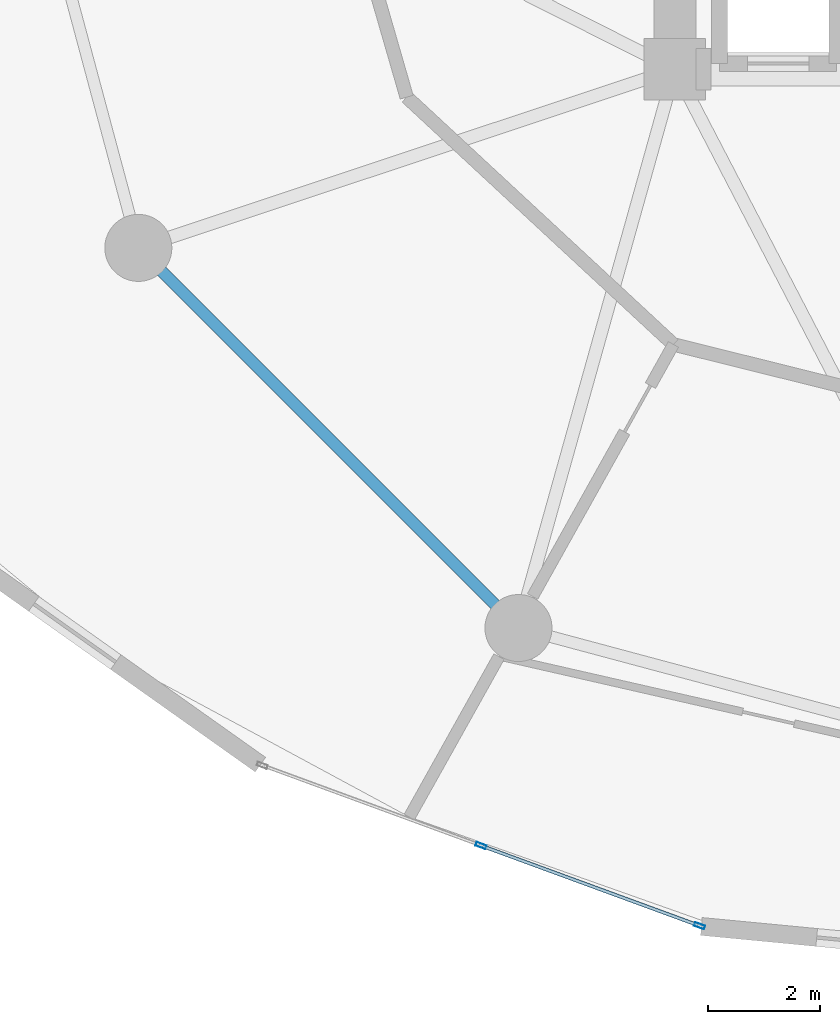
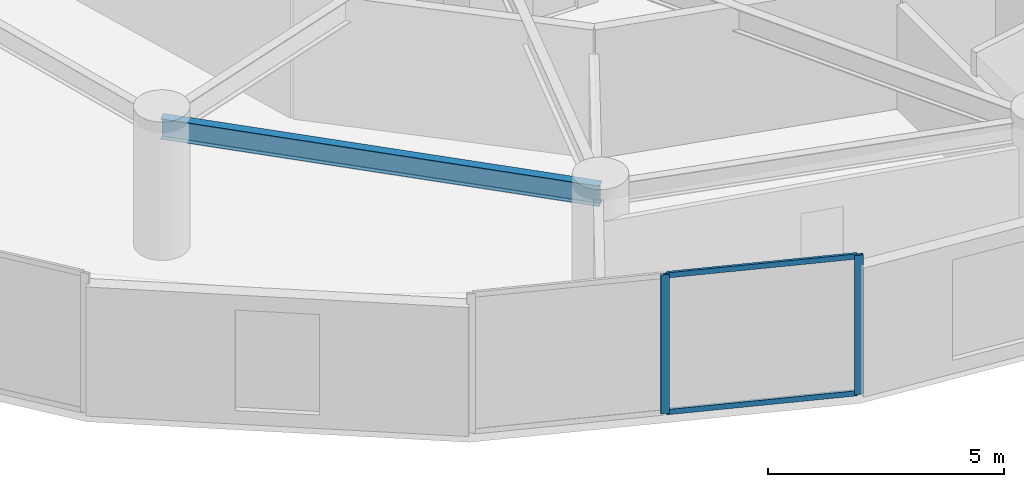
# One storey, part 4 of 22: 4 members, 1 beam, 1 element without a shape of its own.
"""IFC4 building model written with IfcOpenShell, lengths in metres."""

from ifc_helpers import new_model, si_unit, direction, frame, origin, origin_2d, place, context, subcontext, project, spatial, hollow_rectangle, i_section, extrude, source, transform, mapped, material, layer, layer_set, material_profile, profile_set, type_object, element, aggregate, save


model = new_model("IFC4")

# Units and contexts
model_context = context("Model", 3, precision=1e-05, world=origin(), true_north=direction((0.0, 1.0)))
body_context = subcontext(model_context, "Body", "Model", "MODEL_VIEW")
ifc_project = project(units=[si_unit("LENGTHUNIT", "METRE"), si_unit("AREAUNIT", "SQUARE_METRE"), si_unit("VOLUMEUNIT", "CUBIC_METRE"), si_unit("PLANEANGLEUNIT", "RADIAN"), si_unit("MASSUNIT", "GRAM", prefix="KILO")], contexts=[model_context])

# Site, building, storey
site_placement = place(None, origin())
site = spatial("IfcSite", under=ifc_project, at=site_placement, CompositionType="ELEMENT")
building_placement = place(site_placement, origin())
building = spatial("IfcBuilding", under=site, at=building_placement, Name="Solvirekh Grand Hotel", CompositionType="ELEMENT")
storey_placement = place(building_placement, frame((0.0, 0.0, 53.60009765625)))
storey = spatial("IfcBuildingStorey", under=building, at=storey_placement, Name="L12", CompositionType="ELEMENT", Elevation=53.60009765625)

# Beam
ifc_material_1 = material(Name="Steel S355", Category="steel")
ifc_material_profile_1 = material_profile(ifc_material_1, i_section(OverallWidth=0.208984375, OverallDepth=0.532958984375, WebThickness=0.010009765625, FlangeThickness=0.014892578125, FilletRadius=0.013916015625, at=origin_2d()), Name="W530X92")
ifc_profile_set_1 = profile_set([ifc_material_profile_1], Name="Steel S355")
beam_type = type_object("IfcBeamType", Name="Spandrel_Ring_W530", PredefinedType="SPANDREL", material=ifc_profile_set_1)
beam_placement = place(storey_placement, frame((-16.10791015625, -9.300048828125, 3.072998046875), z_axis=(0.707106781187, -0.707106781187, 0.0), x_axis=(0.707106781187, 0.707106781187, 0.0)))
element("IfcBeam", 1, at=beam_placement, inside=storey, type_object=beam_type, Name="L12 perimeter spandrel beam 8", PredefinedType="SPANDREL", context=body_context, shape_type="SweptSolid", body=[
    extrude(i_section(OverallWidth=0.208984375, OverallDepth=0.532958984375, WebThickness=0.010009765625, FlangeThickness=0.014892578125, FilletRadius=0.013916015625, at=origin_2d()), origin(), (0.0, 0.0, 1.0), 9.627685546875),
])

# Curtain wall, members
ifc_material_2 = material(Name="Anodized Bronze Aluminium 6063-T6", Category="aluminium")
ifc_layer = layer(ifc_material_2, 0.18994140625)
ifc_layer_set = layer_set([ifc_layer], Name="Anodized Bronze Aluminium 6063-T6")
curtain_wall_type = type_object("IfcCurtainWallType", Name="CW_Sys2_LowZoneFlushBronzeCW", PredefinedType="NOTDEFINED", material=ifc_layer_set)
curtain_wall_placement = place(storey_placement, origin())
curtain_wall = element("IfcCurtainWall", 2, at=curtain_wall_placement, inside=storey, type_object=curtain_wall_type, Name="L12 unitised bronze-glass curtain wall CW-L12-C15", PredefinedType="NOTDEFINED")
ifc_material_profile_2 = material_profile(ifc_material_2, hollow_rectangle(XDim=0.06005859375, YDim=0.135009765625, WallThickness=0.00390625, at=origin_2d()), Name="ALU RHS 135X60X4")
ifc_profile_set_2 = profile_set([ifc_material_profile_2], Name="Anodized Bronze Aluminium 6063-T6")
member_type_1 = type_object("IfcMemberType", Name="CWTransom_Sys2", PredefinedType="USERDEFINED", material=ifc_profile_set_2)
shared_shape_1 = source(origin(), body_context, "Body", "SweptSolid", [
    extrude(hollow_rectangle(XDim=0.06005859375, YDim=0.135009765625, WallThickness=0.00390625, at=origin_2d()), origin(), (0.0, 0.0, 1.0), 4.1015625),
])
member_1_placement = place(storey_placement, frame((-9.940185546875, -20.01611328125, 0.02978515625), z_axis=(0.938800621145, -0.344461019184, 0.0), x_axis=(0.344461019184, 0.938800621145, 0.0)))
member_1 = element("IfcMember", 3, at=member_1_placement, type_object=member_type_1, Name="U02 transom 2.1", ObjectType="TRANSOM", PredefinedType="USERDEFINED", context=body_context, shape_type="MappedRepresentation", body=[
    mapped(shared_shape_1, transform((0.0, 0.0, 0.0), x_axis=(1.0, 0.0, 0.0), y_axis=(0.0, 1.0, 0.0), z_axis=(0.0, 0.0, 1.0), scale=1.0)),
])
member_2_placement = place(storey_placement, frame((-9.940185546875, -20.01611328125, 3.56982421875), z_axis=(0.938800621145, -0.344461019184, 0.0), x_axis=(0.344461019184, 0.938800621145, 0.0)))
member_2 = element("IfcMember", 4, at=member_2_placement, type_object=member_type_1, Name="U02 transom 2.2", ObjectType="TRANSOM", PredefinedType="USERDEFINED", context=body_context, shape_type="MappedRepresentation", body=[
    mapped(shared_shape_1, transform((0.0, 0.0, 0.0), x_axis=(1.0, 0.0, 0.0), y_axis=(0.0, 1.0, 0.0), z_axis=(0.0, 0.0, 1.0), scale=1.0)),
])
ifc_material_profile_3 = material_profile(ifc_material_2, hollow_rectangle(XDim=0.070068359375, YDim=0.18994140625, WallThickness=0.0048828125, at=origin_2d()), Name="ALU RHS 190X70X5")
ifc_profile_set_3 = profile_set([ifc_material_profile_3], Name="Anodized Bronze Aluminium 6063-T6")
member_type_2 = type_object("IfcMemberType", Name="CWMullion_Sys2", PredefinedType="MULLION", material=ifc_profile_set_3)
shared_shape_2 = source(origin(), body_context, "Body", "SweptSolid", [
    extrude(hollow_rectangle(XDim=0.070068359375, YDim=0.18994140625, WallThickness=0.0048828125, at=origin_2d()), origin(), (0.0, 0.0, 1.0), 3.599853515625),
])
member_3_placement = place(storey_placement, frame((-9.972900390625, -20.00390625, 0.0), z_axis=(0.0, 0.0, 1.0), x_axis=(0.344471181781, 0.938796892263, 0.0)))
member_3 = element("IfcMember", 5, at=member_3_placement, type_object=member_type_2, Name="U02 mullion 2", PredefinedType="MULLION", context=body_context, shape_type="MappedRepresentation", body=[
    mapped(shared_shape_2, transform((0.0, 0.0, 0.0), x_axis=(1.0, 0.0, 0.0), y_axis=(0.0, 1.0, 0.0), z_axis=(0.0, 0.0, 1.0), scale=1.0)),
])
member_4_placement = place(storey_placement, frame((-6.056884765625, -21.44091796875, 0.0), z_axis=(0.0, 0.0, 1.0), x_axis=(0.344471181781, 0.938796892263, 0.0)))
member_4 = element("IfcMember", 6, at=member_4_placement, type_object=member_type_2, Name="U02 mullion 3", PredefinedType="MULLION", context=body_context, shape_type="MappedRepresentation", body=[
    mapped(shared_shape_2, transform((0.0, 0.0, 0.0), x_axis=(1.0, 0.0, 0.0), y_axis=(0.0, 1.0, 0.0), z_axis=(0.0, 0.0, 1.0), scale=1.0)),
])
aggregate(curtain_wall, [member_3, member_4, member_1, member_2])

save(model, "model.ifc")
